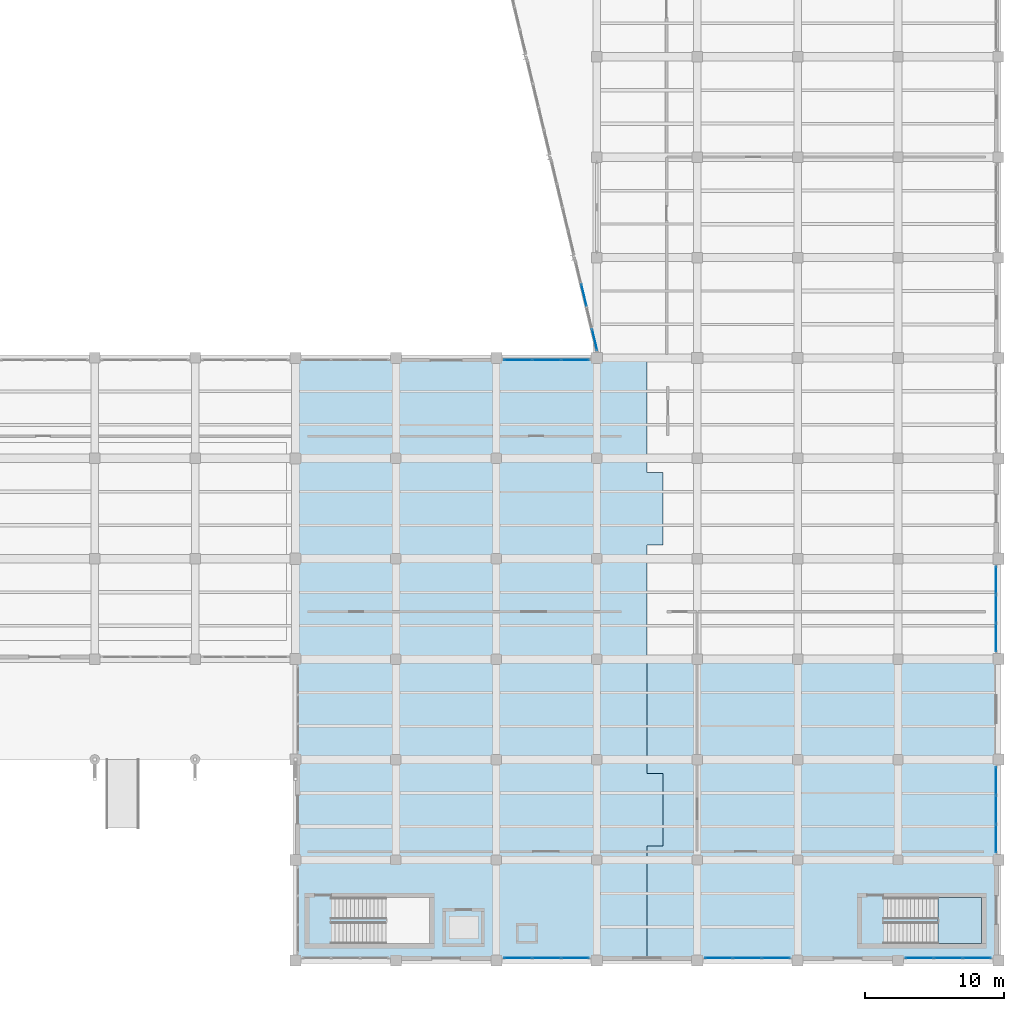
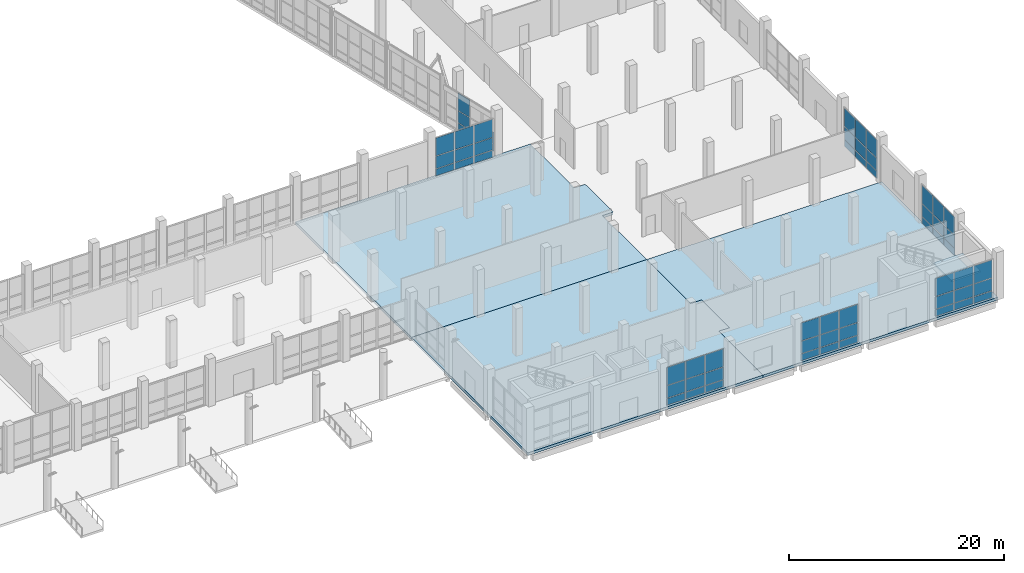
# One storey, part 92 of 137: 59 plates, 4 slabs, 8 elements without a shape of their own.
"""IFC4 building model written with IfcOpenShell, lengths in metres."""

from ifc_helpers import new_model, si_unit, direction, frame, origin, origin_2d, place, context, subcontext, project, spatial, polyline, rectangle, outline, extrude, material, layer, layer_set, type_object, element, aggregate, save


model = new_model("IFC4")

# Units and contexts
model_context = context("Model", 3, precision=1e-05, world=origin(), true_north=direction((0.0, 1.0)))
body_context = subcontext(model_context, "Body", "Model", "MODEL_VIEW")
ifc_project = project(units=[si_unit("LENGTHUNIT", "METRE"), si_unit("AREAUNIT", "SQUARE_METRE"), si_unit("VOLUMEUNIT", "CUBIC_METRE"), si_unit("PLANEANGLEUNIT", "RADIAN"), si_unit("MASSUNIT", "GRAM", prefix="KILO")], contexts=[model_context])

# Site, building, storey
site_placement = place(None, origin())
site = spatial("IfcSite", under=ifc_project, at=site_placement, CompositionType="ELEMENT")
building_placement = place(site_placement, origin())
building = spatial("IfcBuilding", under=site, at=building_placement, Name="Kalmorath City Hall", CompositionType="ELEMENT")
storey_placement = place(building_placement, origin())
storey = spatial("IfcBuildingStorey", under=building, at=storey_placement, Name="L00", CompositionType="ELEMENT", Elevation=0.0)

# Slabs
ifc_material_1 = material(Name="Concrete C40/50", Category="concrete")
ifc_layer_1 = layer(ifc_material_1, 0.300048828125)
ifc_layer_set_1 = layer_set([ifc_layer_1], Name="Concrete C40/50")
slab_type_1 = type_object("IfcSlabType", Name="Concrete ground floor slab 300", PredefinedType="FLOOR", material=ifc_layer_set_1)
slab_1_placement = place(storey_placement, frame((0.0, 0.0, -0.300048828125)))
element("IfcSlab", 1, at=slab_1_placement, inside=storey, type_object=slab_type_1, Name="L00 Council Chamber Pavilion slab FS1-1", PredefinedType="FLOOR", context=body_context, shape_type="SweptSolid", body=[
    extrude(outline(polyline([(115.199951171875, 21.60009765625), (140.39990234375, 21.60009765625), (140.39990234375, 13.39990234375), (141.550048828125, 13.39990234375), (141.550048828125, 8.199951171875), (140.39990234375, 8.199951171875), (140.39990234375, 0.0), (115.199951171875, 0.0), (115.199951171875, 21.60009765625)])), origin(), (0.0, 0.0, 1.0), 0.300048828125),
])
slab_2_placement = place(storey_placement, frame((0.0, 0.0, -0.300048828125)))
element("IfcSlab", 2, at=slab_2_placement, inside=storey, type_object=slab_type_1, Name="L00 Council Chamber Pavilion slab FS1-2", PredefinedType="FLOOR", context=body_context, shape_type="SweptSolid", body=[
    extrude(outline(polyline([(140.39990234375, 0.0), (140.39990234375, 8.199951171875), (141.550048828125, 8.199951171875), (141.550048828125, 13.39990234375), (140.39990234375, 13.39990234375), (140.39990234375, 21.60009765625), (165.60009765625, 21.60009765625), (165.60009765625, 0.0), (140.39990234375, 0.0)])), origin(), (0.0, 0.0, 1.0), 0.300048828125),
])
slab_3_placement = place(storey_placement, frame((0.0, 0.0, -0.300048828125)))
element("IfcSlab", 3, at=slab_3_placement, inside=storey, type_object=slab_type_1, Name="L00 Council Chamber Pavilion slab FS1-3", PredefinedType="FLOOR", context=body_context, shape_type="SweptSolid", body=[
    extrude(outline(polyline([(140.39990234375, 43.199951171875), (140.39990234375, 35.0), (141.550048828125, 35.0), (141.550048828125, 29.800048828125), (140.39990234375, 29.800048828125), (140.39990234375, 21.60009765625), (115.199951171875, 21.60009765625), (115.199951171875, 43.199951171875), (140.39990234375, 43.199951171875)])), origin(), (0.0, 0.0, 1.0), 0.300048828125),
])

# Stair, slab
ifc_material_2 = material(Name="Concrete C40/50", Category="concrete")
stair_type = type_object("IfcStairType", Name="Dogleg concrete exit stair 30R x 180mm W1550", PredefinedType="HALF_TURN_STAIR", material=ifc_material_2)
stair_placement = place(storey_placement, origin())
stair = element("IfcStair", 4, at=stair_placement, inside=storey, type_object=stair_type, Name="L00 Protected exit stair ST-7", PredefinedType="HALF_TURN_STAIR")
ifc_material_3 = material(Name="Concrete C40/50", Category="concrete")
ifc_layer_2 = layer(ifc_material_3, 0.199951171875)
ifc_layer_set_2 = layer_set([ifc_layer_2], Name="Concrete C40/50")
slab_type_2 = type_object("IfcSlabType", Name="Concrete stair half-landing slab 200", PredefinedType="LANDING", material=ifc_layer_set_2)
slab_4_placement = place(storey_placement, frame((0.0, 0.0, 2.5)))
slab_4 = element("IfcSlab", 5, at=slab_4_placement, type_object=slab_type_2, Name="ST-7 landing 1", PredefinedType="LANDING", context=body_context, shape_type="SweptSolid", body=[
    extrude(outline(polyline([(161.27001953125, 1.199951171875), (164.39990234375, 1.199951171875), (164.39990234375, 4.5), (161.27001953125, 4.5), (161.27001953125, 1.199951171875)])), origin(), (0.0, 0.0, 1.0), 0.199951171875),
])
aggregate(stair, [slab_4])

# Curtain wall, plates
ifc_material_4 = material(Name="Anodised aluminium and laminated glass", Category="aluminium")
curtain_wall_type_1 = type_object("IfcCurtainWallType", Name="Unitised hurricane curtain wall 6220x4411 M1850", PredefinedType="NOTDEFINED", material=ifc_material_4)
curtain_wall_1_placement = place(storey_placement, origin())
curtain_wall_1 = element("IfcCurtainWall", 6, at=curtain_wall_1_placement, inside=storey, type_object=curtain_wall_type_1, Name="L00 curtain wall CW-62X44M18 #40", PredefinedType="NOTDEFINED")
ifc_material_5 = material(Name="Hurricane laminated low-E glass", Category="glass")
ifc_layer_3 = layer(ifc_material_5, 0.035888671875)
ifc_layer_set_3 = layer_set([ifc_layer_3], Name="Hurricane laminated low-E glass")
plate_type_1 = type_object("IfcPlateType", Name="Library acoustic low-E glazed panel 36", PredefinedType="CURTAIN_PANEL", material=ifc_layer_set_3)
plate_1_placement = place(storey_placement, frame((131.1455078125, 43.0400390625, 0.06005859375), z_axis=(0.0, 0.0, 1.0), x_axis=(1.0, 0.0, 0.0)))
plate_1 = element("IfcPlate", 7, at=plate_1_placement, type_object=plate_type_1, Name="CW-62X44M18 panel 1.1", PredefinedType="CURTAIN_PANEL", context=body_context, shape_type="SweptSolid", body=[
    extrude(rectangle(XDim=1.9609375, YDim=0.035888671875, at=origin_2d()), origin(), (0.0, 0.0, 1.0), 0.760009765625),
])
plate_2_placement = place(storey_placement, frame((131.1455078125, 43.0400390625, 0.8798828125), z_axis=(0.0, 0.0, 1.0), x_axis=(1.0, 0.0, 0.0)))
plate_2 = element("IfcPlate", 8, at=plate_2_placement, type_object=plate_type_1, Name="CW-62X44M18 panel 1.2", PredefinedType="CURTAIN_PANEL", context=body_context, shape_type="SweptSolid", body=[
    extrude(rectangle(XDim=1.9609375, YDim=0.035888671875, at=origin_2d()), origin(), (0.0, 0.0, 1.0), 1.384033203125),
])
plate_3_placement = place(storey_placement, frame((131.1455078125, 43.0400390625, 2.32373046875), z_axis=(0.0, 0.0, 1.0), x_axis=(1.0, 0.0, 0.0)))
plate_3 = element("IfcPlate", 9, at=plate_3_placement, type_object=plate_type_1, Name="CW-62X44M18 panel 1.3", PredefinedType="CURTAIN_PANEL", context=body_context, shape_type="SweptSolid", body=[
    extrude(rectangle(XDim=1.9609375, YDim=0.035888671875, at=origin_2d()), origin(), (0.0, 0.0, 1.0), 2.027099609375),
])
plate_4_placement = place(storey_placement, frame((133.199951171875, 43.0400390625, 0.06005859375), z_axis=(0.0, 0.0, 1.0), x_axis=(1.0, 0.0, 0.0)))
plate_4 = element("IfcPlate", 10, at=plate_4_placement, type_object=plate_type_1, Name="CW-62X44M18 panel 2.1", PredefinedType="CURTAIN_PANEL", context=body_context, shape_type="SweptSolid", body=[
    extrude(rectangle(XDim=1.998291015625, YDim=0.035888671875, at=origin_2d()), origin(), (0.0, 0.0, 1.0), 0.760009765625),
])
plate_5_placement = place(storey_placement, frame((133.199951171875, 43.0400390625, 0.8798828125), z_axis=(0.0, 0.0, 1.0), x_axis=(1.0, 0.0, 0.0)))
plate_5 = element("IfcPlate", 11, at=plate_5_placement, type_object=plate_type_1, Name="CW-62X44M18 panel 2.2", PredefinedType="CURTAIN_PANEL", context=body_context, shape_type="SweptSolid", body=[
    extrude(rectangle(XDim=1.998291015625, YDim=0.035888671875, at=origin_2d()), origin(), (0.0, 0.0, 1.0), 1.384033203125),
])
plate_6_placement = place(storey_placement, frame((133.199951171875, 43.0400390625, 2.32373046875), z_axis=(0.0, 0.0, 1.0), x_axis=(1.0, 0.0, 0.0)))
plate_6 = element("IfcPlate", 12, at=plate_6_placement, type_object=plate_type_1, Name="CW-62X44M18 panel 2.3", PredefinedType="CURTAIN_PANEL", context=body_context, shape_type="SweptSolid", body=[
    extrude(rectangle(XDim=1.998291015625, YDim=0.035888671875, at=origin_2d()), origin(), (0.0, 0.0, 1.0), 2.027099609375),
])
plate_7_placement = place(storey_placement, frame((135.254638671875, 43.0400390625, 0.06005859375), z_axis=(0.0, 0.0, 1.0), x_axis=(1.0, 0.0, 0.0)))
plate_7 = element("IfcPlate", 13, at=plate_7_placement, type_object=plate_type_1, Name="CW-62X44M18 panel 3.1", PredefinedType="CURTAIN_PANEL", context=body_context, shape_type="SweptSolid", body=[
    extrude(rectangle(XDim=1.9609375, YDim=0.035888671875, at=origin_2d()), origin(), (0.0, 0.0, 1.0), 0.760009765625),
])
plate_8_placement = place(storey_placement, frame((135.254638671875, 43.0400390625, 0.8798828125), z_axis=(0.0, 0.0, 1.0), x_axis=(1.0, 0.0, 0.0)))
plate_8 = element("IfcPlate", 14, at=plate_8_placement, type_object=plate_type_1, Name="CW-62X44M18 panel 3.2", PredefinedType="CURTAIN_PANEL", context=body_context, shape_type="SweptSolid", body=[
    extrude(rectangle(XDim=1.9609375, YDim=0.035888671875, at=origin_2d()), origin(), (0.0, 0.0, 1.0), 1.384033203125),
])
plate_9_placement = place(storey_placement, frame((135.254638671875, 43.0400390625, 2.32373046875), z_axis=(0.0, 0.0, 1.0), x_axis=(1.0, 0.0, 0.0)))
plate_9 = element("IfcPlate", 15, at=plate_9_placement, type_object=plate_type_1, Name="CW-62X44M18 panel 3.3", PredefinedType="CURTAIN_PANEL", context=body_context, shape_type="SweptSolid", body=[
    extrude(rectangle(XDim=1.9609375, YDim=0.035888671875, at=origin_2d()), origin(), (0.0, 0.0, 1.0), 2.027099609375),
])
aggregate(curtain_wall_1, [plate_1, plate_2, plate_3, plate_4, plate_5, plate_6, plate_7, plate_8, plate_9])

ifc_material_6 = material(Name="Anodised aluminium and laminated glass", Category="aluminium")
curtain_wall_type_2 = type_object("IfcCurtainWallType", Name="Unitised hurricane curtain wall 6623x4311 M1850", PredefinedType="NOTDEFINED", material=ifc_material_6)
curtain_wall_2_placement = place(storey_placement, origin())
curtain_wall_2 = element("IfcCurtainWall", 16, at=curtain_wall_2_placement, inside=storey, type_object=curtain_wall_type_2, Name="L00 curtain wall CW-66X43M18 #41", PredefinedType="NOTDEFINED")
plate_10_placement = place(storey_placement, frame((136.649169921875, 44.51318359375, 0.06005859375), z_axis=(0.0, 0.0, 1.0), x_axis=(-0.233458610779, 0.972366739997, 0.0)))
plate_10 = element("IfcPlate", 17, at=plate_10_placement, type_object=plate_type_1, Name="CW-66X43M18 panel 1.1", PredefinedType="CURTAIN_PANEL", context=body_context, shape_type="SweptSolid", body=[
    extrude(rectangle(XDim=1.543212890625, YDim=0.035888671875, at=origin_2d()), origin(), (0.0, 0.0, 1.0), 0.760009765625),
])
plate_11_placement = place(storey_placement, frame((136.649169921875, 44.51318359375, 0.8798828125), z_axis=(0.0, 0.0, 1.0), x_axis=(-0.233458610779, 0.972366739997, 0.0)))
plate_11 = element("IfcPlate", 18, at=plate_11_placement, type_object=plate_type_1, Name="CW-66X43M18 panel 1.2", PredefinedType="CURTAIN_PANEL", context=body_context, shape_type="SweptSolid", body=[
    extrude(rectangle(XDim=1.543212890625, YDim=0.035888671875, at=origin_2d()), origin(), (0.0, 0.0, 1.0), 1.33203125),
])
plate_12_placement = place(storey_placement, frame((135.880615234375, 47.715087890625, 0.06005859375), z_axis=(0.0, 0.0, 1.0), x_axis=(-0.233458610779, 0.972366739997, 0.0)))
plate_12 = element("IfcPlate", 19, at=plate_12_placement, type_object=plate_type_1, Name="CW-66X43M18 panel 3.1", PredefinedType="CURTAIN_PANEL", context=body_context, shape_type="SweptSolid", body=[
    extrude(rectangle(XDim=1.580810546875, YDim=0.035888671875, at=origin_2d()), origin(), (0.0, 0.0, 1.0), 0.760009765625),
])
plate_13_placement = place(storey_placement, frame((135.880615234375, 47.715087890625, 0.8798828125), z_axis=(0.0, 0.0, 1.0), x_axis=(-0.233458610779, 0.972366739997, 0.0)))
plate_13 = element("IfcPlate", 20, at=plate_13_placement, type_object=plate_type_1, Name="CW-66X43M18 panel 3.2", PredefinedType="CURTAIN_PANEL", context=body_context, shape_type="SweptSolid", body=[
    extrude(rectangle(XDim=1.580810546875, YDim=0.035888671875, at=origin_2d()), origin(), (0.0, 0.0, 1.0), 1.33203125),
])
plate_14_placement = place(storey_placement, frame((135.880615234375, 47.715087890625, 2.27197265625), z_axis=(0.0, 0.0, 1.0), x_axis=(-0.233458610779, 0.972366739997, 0.0)))
plate_14 = element("IfcPlate", 21, at=plate_14_placement, type_object=plate_type_1, Name="CW-66X43M18 panel 3.3", PredefinedType="CURTAIN_PANEL", context=body_context, shape_type="SweptSolid", body=[
    extrude(rectangle(XDim=1.580810546875, YDim=0.035888671875, at=origin_2d()), origin(), (0.0, 0.0, 1.0), 1.97900390625),
])
aggregate(curtain_wall_2, [plate_10, plate_11, plate_12, plate_13, plate_14])

ifc_material_7 = material(Name="Anodised aluminium and laminated glass", Category="aluminium")
curtain_wall_type_3 = type_object("IfcCurtainWallType", Name="Unitised hurricane curtain wall 6220x4461 M1800", PredefinedType="NOTDEFINED", material=ifc_material_7)
curtain_wall_3_placement = place(storey_placement, origin())
curtain_wall_3 = element("IfcCurtainWall", 22, at=curtain_wall_3_placement, inside=storey, type_object=curtain_wall_type_3, Name="L00 curtain wall CW-62X45M18 #10", PredefinedType="NOTDEFINED")
ifc_material_8 = material(Name="Hurricane laminated low-E glass", Category="glass")
ifc_layer_4 = layer(ifc_material_8, 0.0400390625)
ifc_layer_set_4 = layer_set([ifc_layer_4], Name="Hurricane laminated low-E glass")
plate_type_2 = type_object("IfcPlateType", Name="Public hall laminated glass panel 40", PredefinedType="CURTAIN_PANEL", material=ifc_layer_set_4)
plate_15_placement = place(storey_placement, frame((165.43994140625, 27.254638671875, 0.06494140625), z_axis=(0.0, 0.0, 1.0), x_axis=(0.0, -1.0, 0.0)))
plate_15 = element("IfcPlate", 23, at=plate_15_placement, type_object=plate_type_2, Name="CW-62X45M18 panel 1.1", PredefinedType="CURTAIN_PANEL", context=body_context, shape_type="SweptSolid", body=[
    extrude(rectangle(XDim=1.9609375, YDim=0.0400390625, at=origin_2d()), origin(), (0.0, 0.0, 1.0), 0.75244140625),
])
plate_16_placement = place(storey_placement, frame((165.43994140625, 27.254638671875, 0.88232421875), z_axis=(0.0, 0.0, 1.0), x_axis=(0.0, -1.0, 0.0)))
plate_16 = element("IfcPlate", 24, at=plate_16_placement, type_object=plate_type_2, Name="CW-62X45M18 panel 1.2", PredefinedType="CURTAIN_PANEL", context=body_context, shape_type="SweptSolid", body=[
    extrude(rectangle(XDim=1.9609375, YDim=0.0400390625, at=origin_2d()), origin(), (0.0, 0.0, 1.0), 1.405029296875),
])
plate_17_placement = place(storey_placement, frame((165.43994140625, 27.254638671875, 2.3525390625), z_axis=(0.0, 0.0, 1.0), x_axis=(0.0, -1.0, 0.0)))
plate_17 = element("IfcPlate", 25, at=plate_17_placement, type_object=plate_type_2, Name="CW-62X45M18 panel 1.3", PredefinedType="CURTAIN_PANEL", context=body_context, shape_type="SweptSolid", body=[
    extrude(rectangle(XDim=1.9609375, YDim=0.0400390625, at=origin_2d()), origin(), (0.0, 0.0, 1.0), 2.04345703125),
])
plate_18_placement = place(storey_placement, frame((165.43994140625, 25.199951171875, 0.06494140625), z_axis=(0.0, 0.0, 1.0), x_axis=(0.0, -1.0, 0.0)))
plate_18 = element("IfcPlate", 26, at=plate_18_placement, type_object=plate_type_2, Name="CW-62X45M18 panel 2.1", PredefinedType="CURTAIN_PANEL", context=body_context, shape_type="SweptSolid", body=[
    extrude(rectangle(XDim=1.998291015625, YDim=0.0400390625, at=origin_2d()), origin(), (0.0, 0.0, 1.0), 0.75244140625),
])
plate_19_placement = place(storey_placement, frame((165.43994140625, 25.199951171875, 0.88232421875), z_axis=(0.0, 0.0, 1.0), x_axis=(0.0, -1.0, 0.0)))
plate_19 = element("IfcPlate", 27, at=plate_19_placement, type_object=plate_type_2, Name="CW-62X45M18 panel 2.2", PredefinedType="CURTAIN_PANEL", context=body_context, shape_type="SweptSolid", body=[
    extrude(rectangle(XDim=1.998291015625, YDim=0.0400390625, at=origin_2d()), origin(), (0.0, 0.0, 1.0), 1.405029296875),
])
plate_20_placement = place(storey_placement, frame((165.43994140625, 25.199951171875, 2.3525390625), z_axis=(0.0, 0.0, 1.0), x_axis=(0.0, -1.0, 0.0)))
plate_20 = element("IfcPlate", 28, at=plate_20_placement, type_object=plate_type_2, Name="CW-62X45M18 panel 2.3", PredefinedType="CURTAIN_PANEL", context=body_context, shape_type="SweptSolid", body=[
    extrude(rectangle(XDim=1.998291015625, YDim=0.0400390625, at=origin_2d()), origin(), (0.0, 0.0, 1.0), 2.04345703125),
])
plate_21_placement = place(storey_placement, frame((165.43994140625, 23.1455078125, 0.06494140625), z_axis=(0.0, 0.0, 1.0), x_axis=(0.0, -1.0, 0.0)))
plate_21 = element("IfcPlate", 29, at=plate_21_placement, type_object=plate_type_2, Name="CW-62X45M18 panel 3.1", PredefinedType="CURTAIN_PANEL", context=body_context, shape_type="SweptSolid", body=[
    extrude(rectangle(XDim=1.9609375, YDim=0.0400390625, at=origin_2d()), origin(), (0.0, 0.0, 1.0), 0.75244140625),
])
plate_22_placement = place(storey_placement, frame((165.43994140625, 23.1455078125, 0.88232421875), z_axis=(0.0, 0.0, 1.0), x_axis=(0.0, -1.0, 0.0)))
plate_22 = element("IfcPlate", 30, at=plate_22_placement, type_object=plate_type_2, Name="CW-62X45M18 panel 3.2", PredefinedType="CURTAIN_PANEL", context=body_context, shape_type="SweptSolid", body=[
    extrude(rectangle(XDim=1.9609375, YDim=0.0400390625, at=origin_2d()), origin(), (0.0, 0.0, 1.0), 1.405029296875),
])
plate_23_placement = place(storey_placement, frame((165.43994140625, 23.1455078125, 2.3525390625), z_axis=(0.0, 0.0, 1.0), x_axis=(0.0, -1.0, 0.0)))
plate_23 = element("IfcPlate", 31, at=plate_23_placement, type_object=plate_type_2, Name="CW-62X45M18 panel 3.3", PredefinedType="CURTAIN_PANEL", context=body_context, shape_type="SweptSolid", body=[
    extrude(rectangle(XDim=1.9609375, YDim=0.0400390625, at=origin_2d()), origin(), (0.0, 0.0, 1.0), 2.04345703125),
])
aggregate(curtain_wall_3, [plate_15, plate_16, plate_17, plate_18, plate_19, plate_20, plate_21, plate_22, plate_23])

curtain_wall_4_placement = place(storey_placement, origin())
curtain_wall_4 = element("IfcCurtainWall", 32, at=curtain_wall_4_placement, inside=storey, type_object=curtain_wall_type_3, Name="L00 curtain wall CW-62X45M18 #11", PredefinedType="NOTDEFINED")
plate_24_placement = place(storey_placement, frame((165.43994140625, 12.8544921875, 0.06494140625), z_axis=(0.0, 0.0, 1.0), x_axis=(0.0, -1.0, 0.0)))
plate_24 = element("IfcPlate", 33, at=plate_24_placement, type_object=plate_type_2, Name="CW-62X45M18 panel 1.1", PredefinedType="CURTAIN_PANEL", context=body_context, shape_type="SweptSolid", body=[
    extrude(rectangle(XDim=1.9609375, YDim=0.0400390625, at=origin_2d()), origin(), (0.0, 0.0, 1.0), 0.75244140625),
])
plate_25_placement = place(storey_placement, frame((165.43994140625, 12.8544921875, 0.88232421875), z_axis=(0.0, 0.0, 1.0), x_axis=(0.0, -1.0, 0.0)))
plate_25 = element("IfcPlate", 34, at=plate_25_placement, type_object=plate_type_2, Name="CW-62X45M18 panel 1.2", PredefinedType="CURTAIN_PANEL", context=body_context, shape_type="SweptSolid", body=[
    extrude(rectangle(XDim=1.9609375, YDim=0.0400390625, at=origin_2d()), origin(), (0.0, 0.0, 1.0), 1.405029296875),
])
plate_26_placement = place(storey_placement, frame((165.43994140625, 12.8544921875, 2.3525390625), z_axis=(0.0, 0.0, 1.0), x_axis=(0.0, -1.0, 0.0)))
plate_26 = element("IfcPlate", 35, at=plate_26_placement, type_object=plate_type_2, Name="CW-62X45M18 panel 1.3", PredefinedType="CURTAIN_PANEL", context=body_context, shape_type="SweptSolid", body=[
    extrude(rectangle(XDim=1.9609375, YDim=0.0400390625, at=origin_2d()), origin(), (0.0, 0.0, 1.0), 2.04345703125),
])
plate_27_placement = place(storey_placement, frame((165.43994140625, 10.800048828125, 0.06494140625), z_axis=(0.0, 0.0, 1.0), x_axis=(0.0, -1.0, 0.0)))
plate_27 = element("IfcPlate", 36, at=plate_27_placement, type_object=plate_type_2, Name="CW-62X45M18 panel 2.1", PredefinedType="CURTAIN_PANEL", context=body_context, shape_type="SweptSolid", body=[
    extrude(rectangle(XDim=1.998291015625, YDim=0.0400390625, at=origin_2d()), origin(), (0.0, 0.0, 1.0), 0.75244140625),
])
plate_28_placement = place(storey_placement, frame((165.43994140625, 10.800048828125, 0.88232421875), z_axis=(0.0, 0.0, 1.0), x_axis=(0.0, -1.0, 0.0)))
plate_28 = element("IfcPlate", 37, at=plate_28_placement, type_object=plate_type_2, Name="CW-62X45M18 panel 2.2", PredefinedType="CURTAIN_PANEL", context=body_context, shape_type="SweptSolid", body=[
    extrude(rectangle(XDim=1.998291015625, YDim=0.0400390625, at=origin_2d()), origin(), (0.0, 0.0, 1.0), 1.405029296875),
])
plate_29_placement = place(storey_placement, frame((165.43994140625, 10.800048828125, 2.3525390625), z_axis=(0.0, 0.0, 1.0), x_axis=(0.0, -1.0, 0.0)))
plate_29 = element("IfcPlate", 38, at=plate_29_placement, type_object=plate_type_2, Name="CW-62X45M18 panel 2.3", PredefinedType="CURTAIN_PANEL", context=body_context, shape_type="SweptSolid", body=[
    extrude(rectangle(XDim=1.998291015625, YDim=0.0400390625, at=origin_2d()), origin(), (0.0, 0.0, 1.0), 2.04345703125),
])
plate_30_placement = place(storey_placement, frame((165.43994140625, 8.745361328125, 0.06494140625), z_axis=(0.0, 0.0, 1.0), x_axis=(0.0, -1.0, 0.0)))
plate_30 = element("IfcPlate", 39, at=plate_30_placement, type_object=plate_type_2, Name="CW-62X45M18 panel 3.1", PredefinedType="CURTAIN_PANEL", context=body_context, shape_type="SweptSolid", body=[
    extrude(rectangle(XDim=1.9609375, YDim=0.0400390625, at=origin_2d()), origin(), (0.0, 0.0, 1.0), 0.75244140625),
])
plate_31_placement = place(storey_placement, frame((165.43994140625, 8.745361328125, 0.88232421875), z_axis=(0.0, 0.0, 1.0), x_axis=(0.0, -1.0, 0.0)))
plate_31 = element("IfcPlate", 40, at=plate_31_placement, type_object=plate_type_2, Name="CW-62X45M18 panel 3.2", PredefinedType="CURTAIN_PANEL", context=body_context, shape_type="SweptSolid", body=[
    extrude(rectangle(XDim=1.9609375, YDim=0.0400390625, at=origin_2d()), origin(), (0.0, 0.0, 1.0), 1.405029296875),
])
plate_32_placement = place(storey_placement, frame((165.43994140625, 8.745361328125, 2.3525390625), z_axis=(0.0, 0.0, 1.0), x_axis=(0.0, -1.0, 0.0)))
plate_32 = element("IfcPlate", 41, at=plate_32_placement, type_object=plate_type_2, Name="CW-62X45M18 panel 3.3", PredefinedType="CURTAIN_PANEL", context=body_context, shape_type="SweptSolid", body=[
    extrude(rectangle(XDim=1.9609375, YDim=0.0400390625, at=origin_2d()), origin(), (0.0, 0.0, 1.0), 2.04345703125),
])
aggregate(curtain_wall_4, [plate_24, plate_25, plate_26, plate_27, plate_28, plate_29, plate_30, plate_31, plate_32])

ifc_material_9 = material(Name="Anodised aluminium and laminated glass", Category="aluminium")
curtain_wall_type_4 = type_object("IfcCurtainWallType", Name="Unitised hurricane curtain wall 6220x4411 M1800", PredefinedType="NOTDEFINED", material=ifc_material_9)
curtain_wall_5_placement = place(storey_placement, origin())
curtain_wall_5 = element("IfcCurtainWall", 42, at=curtain_wall_5_placement, inside=storey, type_object=curtain_wall_type_4, Name="L00 curtain wall CW-62X44M18 #12", PredefinedType="NOTDEFINED")
plate_33_placement = place(storey_placement, frame((164.0546875, 0.159912109375, 0.06494140625), z_axis=(0.0, 0.0, 1.0), x_axis=(-1.0, 0.0, 0.0)))
plate_33 = element("IfcPlate", 43, at=plate_33_placement, type_object=plate_type_2, Name="CW-62X44M18 panel 1.1", PredefinedType="CURTAIN_PANEL", context=body_context, shape_type="SweptSolid", body=[
    extrude(rectangle(XDim=1.9609375, YDim=0.0400390625, at=origin_2d()), origin(), (0.0, 0.0, 1.0), 0.75244140625),
])
plate_34_placement = place(storey_placement, frame((164.0546875, 0.159912109375, 0.882568359375), z_axis=(0.0, 0.0, 1.0), x_axis=(-1.0, 0.0, 0.0)))
plate_34 = element("IfcPlate", 44, at=plate_34_placement, type_object=plate_type_2, Name="CW-62X44M18 panel 1.2", PredefinedType="CURTAIN_PANEL", context=body_context, shape_type="SweptSolid", body=[
    extrude(rectangle(XDim=1.9609375, YDim=0.0400390625, at=origin_2d()), origin(), (0.0, 0.0, 1.0), 1.37890625),
])
plate_35_placement = place(storey_placement, frame((164.0546875, 0.159912109375, 2.326416015625), z_axis=(0.0, 0.0, 1.0), x_axis=(-1.0, 0.0, 0.0)))
plate_35 = element("IfcPlate", 45, at=plate_35_placement, type_object=plate_type_2, Name="CW-62X44M18 panel 1.3", PredefinedType="CURTAIN_PANEL", context=body_context, shape_type="SweptSolid", body=[
    extrude(rectangle(XDim=1.9609375, YDim=0.0400390625, at=origin_2d()), origin(), (0.0, 0.0, 1.0), 2.01953125),
])
plate_36_placement = place(storey_placement, frame((162.0, 0.159912109375, 0.06494140625), z_axis=(0.0, 0.0, 1.0), x_axis=(-1.0, 0.0, 0.0)))
plate_36 = element("IfcPlate", 46, at=plate_36_placement, type_object=plate_type_2, Name="CW-62X44M18 panel 2.1", PredefinedType="CURTAIN_PANEL", context=body_context, shape_type="SweptSolid", body=[
    extrude(rectangle(XDim=1.998291015625, YDim=0.0400390625, at=origin_2d()), origin(), (0.0, 0.0, 1.0), 0.75244140625),
])
plate_37_placement = place(storey_placement, frame((162.0, 0.159912109375, 0.882568359375), z_axis=(0.0, 0.0, 1.0), x_axis=(-1.0, 0.0, 0.0)))
plate_37 = element("IfcPlate", 47, at=plate_37_placement, type_object=plate_type_2, Name="CW-62X44M18 panel 2.2", PredefinedType="CURTAIN_PANEL", context=body_context, shape_type="SweptSolid", body=[
    extrude(rectangle(XDim=1.998291015625, YDim=0.0400390625, at=origin_2d()), origin(), (0.0, 0.0, 1.0), 1.37890625),
])
plate_38_placement = place(storey_placement, frame((162.0, 0.159912109375, 2.326416015625), z_axis=(0.0, 0.0, 1.0), x_axis=(-1.0, 0.0, 0.0)))
plate_38 = element("IfcPlate", 48, at=plate_38_placement, type_object=plate_type_2, Name="CW-62X44M18 panel 2.3", PredefinedType="CURTAIN_PANEL", context=body_context, shape_type="SweptSolid", body=[
    extrude(rectangle(XDim=1.998291015625, YDim=0.0400390625, at=origin_2d()), origin(), (0.0, 0.0, 1.0), 2.01953125),
])
plate_39_placement = place(storey_placement, frame((159.9453125, 0.159912109375, 0.06494140625), z_axis=(0.0, 0.0, 1.0), x_axis=(-1.0, 0.0, 0.0)))
plate_39 = element("IfcPlate", 49, at=plate_39_placement, type_object=plate_type_2, Name="CW-62X44M18 panel 3.1", PredefinedType="CURTAIN_PANEL", context=body_context, shape_type="SweptSolid", body=[
    extrude(rectangle(XDim=1.9609375, YDim=0.0400390625, at=origin_2d()), origin(), (0.0, 0.0, 1.0), 0.75244140625),
])
plate_40_placement = place(storey_placement, frame((159.9453125, 0.159912109375, 0.882568359375), z_axis=(0.0, 0.0, 1.0), x_axis=(-1.0, 0.0, 0.0)))
plate_40 = element("IfcPlate", 50, at=plate_40_placement, type_object=plate_type_2, Name="CW-62X44M18 panel 3.2", PredefinedType="CURTAIN_PANEL", context=body_context, shape_type="SweptSolid", body=[
    extrude(rectangle(XDim=1.9609375, YDim=0.0400390625, at=origin_2d()), origin(), (0.0, 0.0, 1.0), 1.37890625),
])
plate_41_placement = place(storey_placement, frame((159.9453125, 0.159912109375, 2.326416015625), z_axis=(0.0, 0.0, 1.0), x_axis=(-1.0, 0.0, 0.0)))
plate_41 = element("IfcPlate", 51, at=plate_41_placement, type_object=plate_type_2, Name="CW-62X44M18 panel 3.3", PredefinedType="CURTAIN_PANEL", context=body_context, shape_type="SweptSolid", body=[
    extrude(rectangle(XDim=1.9609375, YDim=0.0400390625, at=origin_2d()), origin(), (0.0, 0.0, 1.0), 2.01953125),
])
aggregate(curtain_wall_5, [plate_33, plate_34, plate_35, plate_36, plate_37, plate_38, plate_39, plate_40, plate_41])

curtain_wall_6_placement = place(storey_placement, origin())
curtain_wall_6 = element("IfcCurtainWall", 52, at=curtain_wall_6_placement, inside=storey, type_object=curtain_wall_type_4, Name="L00 curtain wall CW-62X44M18 #13", PredefinedType="NOTDEFINED")
plate_42_placement = place(storey_placement, frame((149.654541015625, 0.159912109375, 0.06494140625), z_axis=(0.0, 0.0, 1.0), x_axis=(-1.0, 0.0, 0.0)))
plate_42 = element("IfcPlate", 53, at=plate_42_placement, type_object=plate_type_2, Name="CW-62X44M18 panel 1.1", PredefinedType="CURTAIN_PANEL", context=body_context, shape_type="SweptSolid", body=[
    extrude(rectangle(XDim=1.9609375, YDim=0.0400390625, at=origin_2d()), origin(), (0.0, 0.0, 1.0), 0.75244140625),
])
plate_43_placement = place(storey_placement, frame((149.654541015625, 0.159912109375, 0.882568359375), z_axis=(0.0, 0.0, 1.0), x_axis=(-1.0, 0.0, 0.0)))
plate_43 = element("IfcPlate", 54, at=plate_43_placement, type_object=plate_type_2, Name="CW-62X44M18 panel 1.2", PredefinedType="CURTAIN_PANEL", context=body_context, shape_type="SweptSolid", body=[
    extrude(rectangle(XDim=1.9609375, YDim=0.0400390625, at=origin_2d()), origin(), (0.0, 0.0, 1.0), 1.37890625),
])
plate_44_placement = place(storey_placement, frame((149.654541015625, 0.159912109375, 2.326416015625), z_axis=(0.0, 0.0, 1.0), x_axis=(-1.0, 0.0, 0.0)))
plate_44 = element("IfcPlate", 55, at=plate_44_placement, type_object=plate_type_2, Name="CW-62X44M18 panel 1.3", PredefinedType="CURTAIN_PANEL", context=body_context, shape_type="SweptSolid", body=[
    extrude(rectangle(XDim=1.9609375, YDim=0.0400390625, at=origin_2d()), origin(), (0.0, 0.0, 1.0), 2.01953125),
])
plate_45_placement = place(storey_placement, frame((147.60009765625, 0.159912109375, 0.06494140625), z_axis=(0.0, 0.0, 1.0), x_axis=(-1.0, 0.0, 0.0)))
plate_45 = element("IfcPlate", 56, at=plate_45_placement, type_object=plate_type_2, Name="CW-62X44M18 panel 2.1", PredefinedType="CURTAIN_PANEL", context=body_context, shape_type="SweptSolid", body=[
    extrude(rectangle(XDim=1.998291015625, YDim=0.0400390625, at=origin_2d()), origin(), (0.0, 0.0, 1.0), 0.75244140625),
])
plate_46_placement = place(storey_placement, frame((147.60009765625, 0.159912109375, 0.882568359375), z_axis=(0.0, 0.0, 1.0), x_axis=(-1.0, 0.0, 0.0)))
plate_46 = element("IfcPlate", 57, at=plate_46_placement, type_object=plate_type_2, Name="CW-62X44M18 panel 2.2", PredefinedType="CURTAIN_PANEL", context=body_context, shape_type="SweptSolid", body=[
    extrude(rectangle(XDim=1.998291015625, YDim=0.0400390625, at=origin_2d()), origin(), (0.0, 0.0, 1.0), 1.37890625),
])
plate_47_placement = place(storey_placement, frame((147.60009765625, 0.159912109375, 2.326416015625), z_axis=(0.0, 0.0, 1.0), x_axis=(-1.0, 0.0, 0.0)))
plate_47 = element("IfcPlate", 58, at=plate_47_placement, type_object=plate_type_2, Name="CW-62X44M18 panel 2.3", PredefinedType="CURTAIN_PANEL", context=body_context, shape_type="SweptSolid", body=[
    extrude(rectangle(XDim=1.998291015625, YDim=0.0400390625, at=origin_2d()), origin(), (0.0, 0.0, 1.0), 2.01953125),
])
plate_48_placement = place(storey_placement, frame((145.54541015625, 0.159912109375, 0.06494140625), z_axis=(0.0, 0.0, 1.0), x_axis=(-1.0, 0.0, 0.0)))
plate_48 = element("IfcPlate", 59, at=plate_48_placement, type_object=plate_type_2, Name="CW-62X44M18 panel 3.1", PredefinedType="CURTAIN_PANEL", context=body_context, shape_type="SweptSolid", body=[
    extrude(rectangle(XDim=1.9609375, YDim=0.0400390625, at=origin_2d()), origin(), (0.0, 0.0, 1.0), 0.75244140625),
])
plate_49_placement = place(storey_placement, frame((145.54541015625, 0.159912109375, 0.882568359375), z_axis=(0.0, 0.0, 1.0), x_axis=(-1.0, 0.0, 0.0)))
plate_49 = element("IfcPlate", 60, at=plate_49_placement, type_object=plate_type_2, Name="CW-62X44M18 panel 3.2", PredefinedType="CURTAIN_PANEL", context=body_context, shape_type="SweptSolid", body=[
    extrude(rectangle(XDim=1.9609375, YDim=0.0400390625, at=origin_2d()), origin(), (0.0, 0.0, 1.0), 1.37890625),
])
plate_50_placement = place(storey_placement, frame((145.54541015625, 0.159912109375, 2.326416015625), z_axis=(0.0, 0.0, 1.0), x_axis=(-1.0, 0.0, 0.0)))
plate_50 = element("IfcPlate", 61, at=plate_50_placement, type_object=plate_type_2, Name="CW-62X44M18 panel 3.3", PredefinedType="CURTAIN_PANEL", context=body_context, shape_type="SweptSolid", body=[
    extrude(rectangle(XDim=1.9609375, YDim=0.0400390625, at=origin_2d()), origin(), (0.0, 0.0, 1.0), 2.01953125),
])
aggregate(curtain_wall_6, [plate_42, plate_43, plate_44, plate_45, plate_46, plate_47, plate_48, plate_49, plate_50])

curtain_wall_7_placement = place(storey_placement, origin())
curtain_wall_7 = element("IfcCurtainWall", 62, at=curtain_wall_7_placement, inside=storey, type_object=curtain_wall_type_4, Name="L00 curtain wall CW-62X44M18 #14", PredefinedType="NOTDEFINED")
plate_51_placement = place(storey_placement, frame((135.254638671875, 0.159912109375, 0.06494140625), z_axis=(0.0, 0.0, 1.0), x_axis=(-1.0, 0.0, 0.0)))
plate_51 = element("IfcPlate", 63, at=plate_51_placement, type_object=plate_type_2, Name="CW-62X44M18 panel 1.1", PredefinedType="CURTAIN_PANEL", context=body_context, shape_type="SweptSolid", body=[
    extrude(rectangle(XDim=1.9609375, YDim=0.0400390625, at=origin_2d()), origin(), (0.0, 0.0, 1.0), 0.75244140625),
])
plate_52_placement = place(storey_placement, frame((135.254638671875, 0.159912109375, 0.882568359375), z_axis=(0.0, 0.0, 1.0), x_axis=(-1.0, 0.0, 0.0)))
plate_52 = element("IfcPlate", 64, at=plate_52_placement, type_object=plate_type_2, Name="CW-62X44M18 panel 1.2", PredefinedType="CURTAIN_PANEL", context=body_context, shape_type="SweptSolid", body=[
    extrude(rectangle(XDim=1.9609375, YDim=0.0400390625, at=origin_2d()), origin(), (0.0, 0.0, 1.0), 1.37890625),
])
plate_53_placement = place(storey_placement, frame((135.254638671875, 0.159912109375, 2.326416015625), z_axis=(0.0, 0.0, 1.0), x_axis=(-1.0, 0.0, 0.0)))
plate_53 = element("IfcPlate", 65, at=plate_53_placement, type_object=plate_type_2, Name="CW-62X44M18 panel 1.3", PredefinedType="CURTAIN_PANEL", context=body_context, shape_type="SweptSolid", body=[
    extrude(rectangle(XDim=1.9609375, YDim=0.0400390625, at=origin_2d()), origin(), (0.0, 0.0, 1.0), 2.01953125),
])
plate_54_placement = place(storey_placement, frame((133.199951171875, 0.159912109375, 0.06494140625), z_axis=(0.0, 0.0, 1.0), x_axis=(-1.0, 0.0, 0.0)))
plate_54 = element("IfcPlate", 66, at=plate_54_placement, type_object=plate_type_2, Name="CW-62X44M18 panel 2.1", PredefinedType="CURTAIN_PANEL", context=body_context, shape_type="SweptSolid", body=[
    extrude(rectangle(XDim=1.998291015625, YDim=0.0400390625, at=origin_2d()), origin(), (0.0, 0.0, 1.0), 0.75244140625),
])
plate_55_placement = place(storey_placement, frame((133.199951171875, 0.159912109375, 0.882568359375), z_axis=(0.0, 0.0, 1.0), x_axis=(-1.0, 0.0, 0.0)))
plate_55 = element("IfcPlate", 67, at=plate_55_placement, type_object=plate_type_2, Name="CW-62X44M18 panel 2.2", PredefinedType="CURTAIN_PANEL", context=body_context, shape_type="SweptSolid", body=[
    extrude(rectangle(XDim=1.998291015625, YDim=0.0400390625, at=origin_2d()), origin(), (0.0, 0.0, 1.0), 1.37890625),
])
plate_56_placement = place(storey_placement, frame((133.199951171875, 0.159912109375, 2.326416015625), z_axis=(0.0, 0.0, 1.0), x_axis=(-1.0, 0.0, 0.0)))
plate_56 = element("IfcPlate", 68, at=plate_56_placement, type_object=plate_type_2, Name="CW-62X44M18 panel 2.3", PredefinedType="CURTAIN_PANEL", context=body_context, shape_type="SweptSolid", body=[
    extrude(rectangle(XDim=1.998291015625, YDim=0.0400390625, at=origin_2d()), origin(), (0.0, 0.0, 1.0), 2.01953125),
])
plate_57_placement = place(storey_placement, frame((131.1455078125, 0.159912109375, 0.06494140625), z_axis=(0.0, 0.0, 1.0), x_axis=(-1.0, 0.0, 0.0)))
plate_57 = element("IfcPlate", 69, at=plate_57_placement, type_object=plate_type_2, Name="CW-62X44M18 panel 3.1", PredefinedType="CURTAIN_PANEL", context=body_context, shape_type="SweptSolid", body=[
    extrude(rectangle(XDim=1.9609375, YDim=0.0400390625, at=origin_2d()), origin(), (0.0, 0.0, 1.0), 0.75244140625),
])
plate_58_placement = place(storey_placement, frame((131.1455078125, 0.159912109375, 0.882568359375), z_axis=(0.0, 0.0, 1.0), x_axis=(-1.0, 0.0, 0.0)))
plate_58 = element("IfcPlate", 70, at=plate_58_placement, type_object=plate_type_2, Name="CW-62X44M18 panel 3.2", PredefinedType="CURTAIN_PANEL", context=body_context, shape_type="SweptSolid", body=[
    extrude(rectangle(XDim=1.9609375, YDim=0.0400390625, at=origin_2d()), origin(), (0.0, 0.0, 1.0), 1.37890625),
])
plate_59_placement = place(storey_placement, frame((131.1455078125, 0.159912109375, 2.326416015625), z_axis=(0.0, 0.0, 1.0), x_axis=(-1.0, 0.0, 0.0)))
plate_59 = element("IfcPlate", 71, at=plate_59_placement, type_object=plate_type_2, Name="CW-62X44M18 panel 3.3", PredefinedType="CURTAIN_PANEL", context=body_context, shape_type="SweptSolid", body=[
    extrude(rectangle(XDim=1.9609375, YDim=0.0400390625, at=origin_2d()), origin(), (0.0, 0.0, 1.0), 2.01953125),
])
aggregate(curtain_wall_7, [plate_51, plate_52, plate_53, plate_54, plate_55, plate_56, plate_57, plate_58, plate_59])

save(model, "model.ifc")
